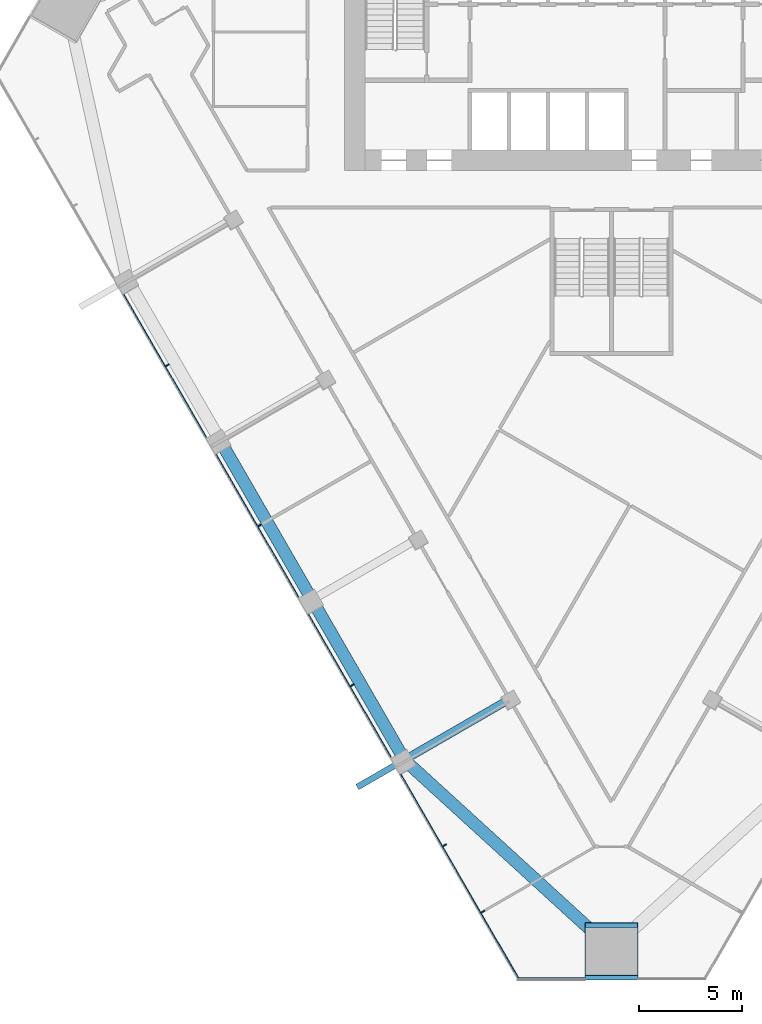
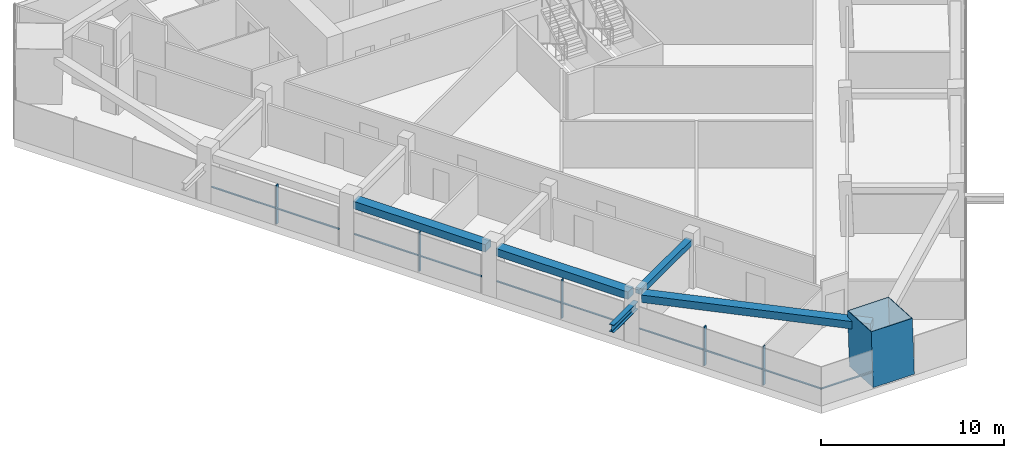
# One storey, part 2 of 13: 12 members, 4 beams, 2 elements without a shape of their own.
"""IFC4 building model written with IfcOpenShell, lengths in metres."""

from ifc_helpers import new_model, si_unit, direction, frame, origin, origin_2d, place, context, subcontext, project, spatial, rectangle, hollow_rectangle, i_section, extrude, material, layer, layer_set, material_profile, profile_set, type_object, element, aggregate, save


model = new_model("IFC4")

# Units and contexts
model_context = context("Model", 3, precision=1e-05, world=origin(), true_north=direction((0.0, 1.0)))
body_context = subcontext(model_context, "Body", "Model", "MODEL_VIEW")
ifc_project = project(units=[si_unit("LENGTHUNIT", "METRE"), si_unit("AREAUNIT", "SQUARE_METRE"), si_unit("VOLUMEUNIT", "CUBIC_METRE"), si_unit("PLANEANGLEUNIT", "RADIAN"), si_unit("MASSUNIT", "GRAM", prefix="KILO")], contexts=[model_context])

# Site, building, storey
site_placement = place(None, origin())
site = spatial("IfcSite", under=ifc_project, at=site_placement, CompositionType="ELEMENT")
building_placement = place(site_placement, origin())
building = spatial("IfcBuilding", under=site, at=building_placement, Name="Altiplano Prism Tower", CompositionType="ELEMENT")
storey_placement = place(building_placement, frame((0.0, 0.0, 66.60009765625)))
storey = spatial("IfcBuildingStorey", under=building, at=storey_placement, Name="L16", CompositionType="ELEMENT", Elevation=66.60009765625)

# Member
ifc_material_1 = material(Name="Steel S355", Category="steel")
ifc_material_profile_1 = material_profile(ifc_material_1, i_section(OverallWidth=0.300048828125, OverallDepth=0.5, WebThickness=0.014404296875, FlangeThickness=0.028076171875, FilletRadius=0.027099609375, at=origin_2d()), Name="Brace bracket HEB 500")
ifc_profile_set_1 = profile_set([ifc_material_profile_1], Name="Steel S355")
member_type_1 = type_object("IfcMemberType", Name="Brace bracket HEB 500", PredefinedType="STRUT", material=ifc_profile_set_1)
member_1_placement = place(storey_placement, frame((74.9130859375, 63.6962890625, 2.21728515625), z_axis=(-0.865989200783, -0.500062700197, 0.0), x_axis=(0.500062700197, -0.865989200783, 0.0)))
element("IfcMember", 1, at=member_1_placement, inside=storey, type_object=member_type_1, Name="Brace bracket 1.70.2", PredefinedType="STRUT", context=body_context, shape_type="SweptSolid", body=[
    extrude(i_section(OverallWidth=0.300048828125, OverallDepth=0.5, WebThickness=0.014404296875, FlangeThickness=0.028076171875, FilletRadius=0.027099609375, at=origin_2d()), origin(), (0.0, 0.0, 1.0), 2.650146484375),
])

# Curtain wall, members
ifc_material_2 = material(Name="Aluminium and glass", Category="aluminium")
ifc_layer = layer(ifc_material_2, 0.303955078125)
ifc_layer_set = layer_set([ifc_layer], Name="Aluminium and glass")
curtain_wall_type = type_object("IfcCurtainWallType", Name="CW2 lounge-band unitised glazing", PredefinedType="NOTDEFINED", material=ifc_layer_set)
curtain_wall_1_placement = place(storey_placement, origin())
curtain_wall_1 = element("IfcCurtainWall", 2, at=curtain_wall_1_placement, inside=storey, type_object=curtain_wall_type, Name="CW2 curtain wall south-west face L16", PredefinedType="NOTDEFINED")
ifc_material_3 = material(Name="Aluminium", Category="aluminium")
ifc_material_profile_2 = material_profile(ifc_material_3, rectangle(XDim=0.199951171875, YDim=0.06005859375, at=origin_2d()), Name="CW2 mullion 60 x 200")
ifc_profile_set_2 = profile_set([ifc_material_profile_2], Name="Aluminium")
member_type_2 = type_object("IfcMemberType", Name="CW2 mullion 60 x 200", PredefinedType="MULLION", material=ifc_profile_set_2)
member_2_placement = place(storey_placement, frame((63.3701171875, 82.920166015625, 0.0), z_axis=(0.0, 0.0, 1.0), x_axis=(0.866025408994, 0.499999990976, 0.0)))
member_2 = element("IfcMember", 3, at=member_2_placement, type_object=member_type_2, Name="CW2 mullion", PredefinedType="MULLION", context=body_context, shape_type="SweptSolid", body=[
    extrude(rectangle(XDim=0.199951171875, YDim=0.06005859375, at=origin_2d()), origin(), (0.0, 0.0, 1.0), 2.599853515625),
])
member_3_placement = place(storey_placement, frame((67.8701171875, 75.1259765625, 0.0), z_axis=(0.0, 0.0, 1.0), x_axis=(0.866025408994, 0.499999990976, 0.0)))
member_3 = element("IfcMember", 4, at=member_3_placement, type_object=member_type_2, Name="CW2 mullion", PredefinedType="MULLION", context=body_context, shape_type="SweptSolid", body=[
    extrude(rectangle(XDim=0.199951171875, YDim=0.06005859375, at=origin_2d()), origin(), (0.0, 0.0, 1.0), 2.599853515625),
])
member_4_placement = place(storey_placement, frame((72.3701171875, 67.331787109375, 0.0), z_axis=(0.0, 0.0, 1.0), x_axis=(0.866025408994, 0.499999990976, 0.0)))
member_4 = element("IfcMember", 5, at=member_4_placement, type_object=member_type_2, Name="CW2 mullion", PredefinedType="MULLION", context=body_context, shape_type="SweptSolid", body=[
    extrude(rectangle(XDim=0.199951171875, YDim=0.06005859375, at=origin_2d()), origin(), (0.0, 0.0, 1.0), 2.599853515625),
])
member_5_placement = place(storey_placement, frame((76.8701171875, 59.53759765625, 0.0), z_axis=(0.0, 0.0, 1.0), x_axis=(0.866025408994, 0.499999990976, 0.0)))
member_5 = element("IfcMember", 6, at=member_5_placement, type_object=member_type_2, Name="CW2 mullion", PredefinedType="MULLION", context=body_context, shape_type="SweptSolid", body=[
    extrude(rectangle(XDim=0.199951171875, YDim=0.06005859375, at=origin_2d()), origin(), (0.0, 0.0, 1.0), 2.599853515625),
])
member_6_placement = place(storey_placement, frame((78.735107421875, 56.307373046875, 0.0), z_axis=(0.0, 0.0, 1.0), x_axis=(0.866025408994, 0.499999990976, 0.0)))
member_6 = element("IfcMember", 7, at=member_6_placement, type_object=member_type_2, Name="CW2 mullion", PredefinedType="MULLION", context=body_context, shape_type="SweptSolid", body=[
    extrude(rectangle(XDim=0.199951171875, YDim=0.06005859375, at=origin_2d()), origin(), (0.0, 0.0, 1.0), 2.599853515625),
])
ifc_material_profile_3 = material_profile(ifc_material_3, rectangle(XDim=0.06005859375, YDim=0.080078125, at=origin_2d()), Name="CW2 transom 80 x 60")
ifc_profile_set_3 = profile_set([ifc_material_profile_3], Name="Aluminium")
member_type_3 = type_object("IfcMemberType", Name="CW2 transom 80 x 60", PredefinedType="USERDEFINED", material=ifc_profile_set_3)
member_7_placement = place(storey_placement, frame((61.232666015625, 86.362060546875, 1.099853515625), z_axis=(0.500012318566, -0.86601829154, 0.0), x_axis=(0.86601829154, 0.500012318566, 0.0)))
member_7 = element("IfcMember", 8, at=member_7_placement, type_object=member_type_3, Name="CW2 transom", ObjectType="TRANSOM", PredefinedType="USERDEFINED", context=body_context, shape_type="SweptSolid", body=[
    extrude(rectangle(XDim=0.06005859375, YDim=0.080078125, at=origin_2d()), origin(), (0.0, 0.0, 1.0), 8.019775390625),
])
member_8_placement = place(storey_placement, frame((65.732666015625, 78.56787109375, 1.099853515625), z_axis=(0.499999136801, -0.866025902152, 0.0), x_axis=(0.866025902152, 0.499999136801, 0.0)))
member_8 = element("IfcMember", 9, at=member_8_placement, type_object=member_type_3, Name="CW2 transom", ObjectType="TRANSOM", PredefinedType="USERDEFINED", context=body_context, shape_type="SweptSolid", body=[
    extrude(rectangle(XDim=0.06005859375, YDim=0.080078125, at=origin_2d()), origin(), (0.0, 0.0, 1.0), 8.02001953125),
])
member_9_placement = place(storey_placement, frame((70.232666015625, 70.773681640625, 1.099853515625), z_axis=(0.499999136801, -0.866025902152, 0.0), x_axis=(0.866025902152, 0.499999136801, 0.0)))
member_9 = element("IfcMember", 10, at=member_9_placement, type_object=member_type_3, Name="CW2 transom", ObjectType="TRANSOM", PredefinedType="USERDEFINED", context=body_context, shape_type="SweptSolid", body=[
    extrude(rectangle(XDim=0.06005859375, YDim=0.080078125, at=origin_2d()), origin(), (0.0, 0.0, 1.0), 8.02001953125),
])
member_10_placement = place(storey_placement, frame((74.732666015625, 62.979248046875, 1.099853515625), z_axis=(0.500001557692, -0.866024504448, 0.0), x_axis=(0.866024504448, 0.500001557692, 0.0)))
member_10 = element("IfcMember", 11, at=member_10_placement, type_object=member_type_3, Name="CW2 transom", ObjectType="TRANSOM", PredefinedType="USERDEFINED", context=body_context, shape_type="SweptSolid", body=[
    extrude(rectangle(XDim=0.06005859375, YDim=0.080078125, at=origin_2d()), origin(), (0.0, 0.0, 1.0), 11.50927734375),
])
aggregate(curtain_wall_1, [member_2, member_7, member_3, member_8, member_4, member_9, member_5, member_6, member_10])

# Curtain wall, member
curtain_wall_2_placement = place(storey_placement, origin())
curtain_wall_2 = element("IfcCurtainWall", 12, at=curtain_wall_2_placement, inside=storey, type_object=curtain_wall_type, Name="CW2 curtain wall south chamfer L16", PredefinedType="NOTDEFINED")
member_11_placement = place(storey_placement, frame((80.42333984375, 53.049072265625, 1.099853515625), z_axis=(1.0, 0.0, 0.0), x_axis=(0.0, 1.0, 0.0)))
member_11 = element("IfcMember", 13, at=member_11_placement, type_object=member_type_3, Name="CW2 transom", ObjectType="TRANSOM", PredefinedType="USERDEFINED", context=body_context, shape_type="SweptSolid", body=[
    extrude(rectangle(XDim=0.06005859375, YDim=0.080078125, at=origin_2d()), origin(), (0.0, 0.0, 1.0), 3.276611328125),
])
aggregate(curtain_wall_2, [member_11])

# Beams
ifc_material_4 = material(Name="Concrete C60/75", Category="concrete")
ifc_material_profile_4 = material_profile(ifc_material_4, rectangle(XDim=0.60009765625, YDim=0.5, at=origin_2d()), Name="Edge beam 600x500")
ifc_profile_set_4 = profile_set([ifc_material_profile_4], Name="Concrete C60/75")
beam_type_1 = type_object("IfcBeamType", Name="Edge beam 600x500", PredefinedType="SPANDREL", material=ifc_profile_set_4)
for number, where, z_axis, x_axis, name in (
    (14, (66.078125, 78.998779296875, 2.849853515625), (0.499992746786, -0.866029591389, 0.0), (0.866029591389, 0.499992746786, 0.0), "Edge beam P12-P13 L17"),
    (15, (70.578125, 71.20458984375, 2.849853515625), (0.499992746786, -0.866029591389, 0.0), (0.866029591389, 0.499992746786, 0.0), "Edge beam P13-P14 L17"),
):
    element("IfcBeam", number, at=place(storey_placement, frame(where, z_axis=z_axis, x_axis=x_axis)), inside=storey, type_object=beam_type_1, Name=name, PredefinedType="SPANDREL", context=body_context, shape_type="SweptSolid", body=[
        extrude(rectangle(XDim=0.60009765625, YDim=0.5, at=origin_2d()), origin(), (0.0, 0.0, 1.0), 8.33984375),
    ])
beam_1_placement = place(storey_placement, frame((75.173095703125, 63.458740234375, 2.849853515625), z_axis=(0.738450139671, -0.674308083312, 0.0), x_axis=(0.674308083312, 0.738450139671, 0.0)))
element("IfcBeam", 16, at=beam_1_placement, inside=storey, type_object=beam_type_1, Name="Edge beam P14-M1 L17", PredefinedType="SPANDREL", context=body_context, shape_type="SweptSolid", body=[
    extrude(rectangle(XDim=0.60009765625, YDim=0.5, at=origin_2d()), origin(), (0.0, 0.0, 1.0), 12.857421875),
])

# Member
ifc_material_5 = material(Name="Steel S460", Category="steel")
ifc_material_profile_5 = material_profile(ifc_material_5, hollow_rectangle(XDim=2.60009765625, YDim=2.60009765625, WallThickness=0.0400390625, at=origin_2d()), Name="Mega column tube 2600")
ifc_profile_set_5 = profile_set([ifc_material_profile_5], Name="Steel S460")
member_type_4 = type_object("IfcMemberType", Name="Mega column tube 2600", PredefinedType="POST", material=ifc_profile_set_5)
member_12_placement = place(storey_placement, frame((85.0, 54.275146484375, 0.0), z_axis=(0.0, 0.058293378456, 0.998299495156), x_axis=(-1.0, 0.0, 0.0)))
element("IfcMember", 17, at=member_12_placement, inside=storey, type_object=member_type_4, Name="Mega column tube M1 L16", PredefinedType="POST", context=body_context, shape_type="SweptSolid", body=[
    extrude(hollow_rectangle(XDim=2.60009765625, YDim=2.60009765625, WallThickness=0.0400390625, at=origin_2d()), origin(), (0.0, 0.0, 1.0), 3.60595703125),
])

# Beam
ifc_material_profile_6 = material_profile(ifc_material_4, rectangle(XDim=0.39990234375, YDim=0.39990234375, at=origin_2d()), Name="Tie beam 400x400")
ifc_profile_set_6 = profile_set([ifc_material_profile_6], Name="Concrete C60/75")
beam_type_2 = type_object("IfcBeamType", Name="Tie beam 400x400", PredefinedType="BEAM", material=ifc_profile_set_6)
beam_2_placement = place(storey_placement, frame((79.953369140625, 66.606201171875, 2.89990234375), z_axis=(-0.866042665983, -0.499970099802, 0.0), x_axis=(0.499970099802, -0.866042665983, 0.0)))
element("IfcBeam", 18, at=beam_2_placement, inside=storey, type_object=beam_type_2, Name="Tie beam I14 L17", PredefinedType="BEAM", context=body_context, shape_type="SweptSolid", body=[
    extrude(rectangle(XDim=0.39990234375, YDim=0.39990234375, at=origin_2d()), origin(), (0.0, 0.0, 1.0), 5.489990234375),
])

save(model, "model.ifc")
